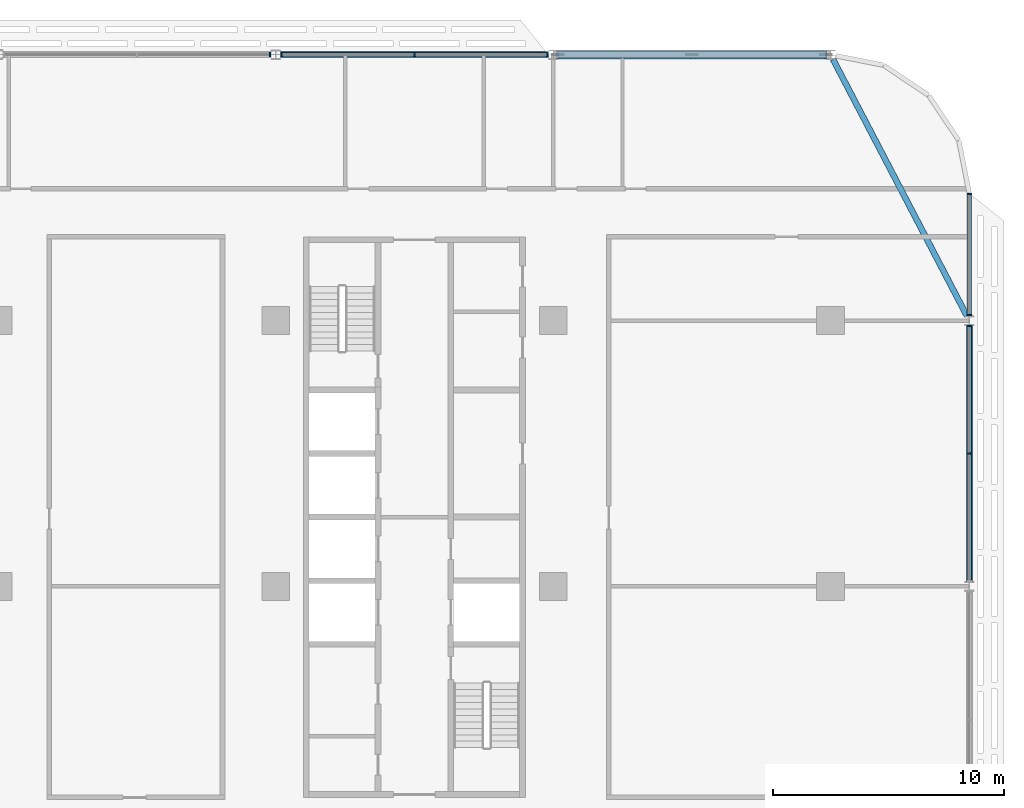
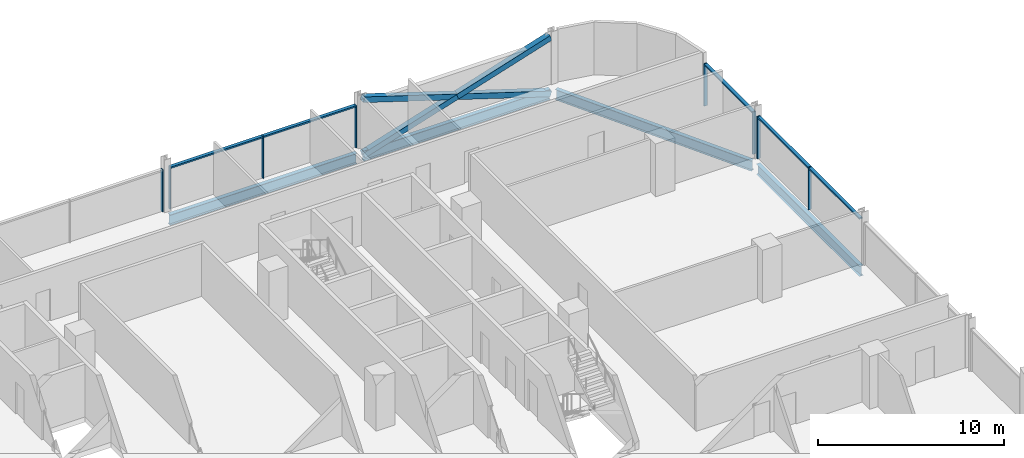
# One storey, part 9 of 27: 16 members, 4 beams, 4 elements without a shape of their own.
"""IFC4 building model written with IfcOpenShell, lengths in metres."""

from ifc_helpers import new_model, si_unit, direction, frame, origin, origin_2d, place, context, subcontext, project, spatial, rectangle, hollow_rectangle, i_section, extrude, material, material_profile, profile_set, type_object, element, aggregate, save


model = new_model("IFC4")

# Units and contexts
model_context = context("Model", 3, precision=1e-05, world=origin(), true_north=direction((0.0, 1.0)))
body_context = subcontext(model_context, "Body", "Model", "MODEL_VIEW")
ifc_project = project(units=[si_unit("LENGTHUNIT", "METRE"), si_unit("AREAUNIT", "SQUARE_METRE"), si_unit("VOLUMEUNIT", "CUBIC_METRE"), si_unit("PLANEANGLEUNIT", "RADIAN"), si_unit("MASSUNIT", "GRAM", prefix="KILO")], contexts=[model_context])

# Site, building, storey
site_placement = place(None, origin())
site = spatial("IfcSite", under=ifc_project, at=site_placement, CompositionType="ELEMENT")
building_placement = place(site_placement, origin())
building = spatial("IfcBuilding", under=site, at=building_placement, Name="Mahtab Terrace Research Tower", CompositionType="ELEMENT")
storey_placement = place(building_placement, frame((0.0, 0.0, 178.199951171875)))
storey = spatial("IfcBuildingStorey", under=building, at=storey_placement, Name="L42", CompositionType="ELEMENT", Elevation=178.199951171875)

# Members
ifc_material_1 = material(Name="Steel ASTM A500 Gr C", Category="steel")
ifc_material_profile_1 = material_profile(ifc_material_1, hollow_rectangle(XDim=0.355712890625, YDim=0.355712890625, WallThickness=0.015869140625, at=origin_2d()), Name="HSS14X14X5/8")
ifc_profile_set_1 = profile_set([ifc_material_profile_1], Name="Steel ASTM A500 Gr C")
member_type_1 = type_object("IfcMemberType", Name="HSS 14x14x5/8 brace XB141458", PredefinedType="BRACE", material=ifc_profile_set_1)
member_1_placement = place(storey_placement, frame((41.796875, 23.0, -0.61474609375), z_axis=(-0.953341454971, 0.0, 0.301894137463), x_axis=(0.0, -1.0, 0.0)))
element("IfcMember", 1, at=member_1_placement, inside=storey, type_object=member_type_1, Name="Exoskeleton brace L42 01 a", PredefinedType="BRACE", context=body_context, shape_type="SweptSolid", body=[
    extrude(hollow_rectangle(XDim=0.355712890625, YDim=0.355712890625, WallThickness=0.015869140625, at=origin_2d()), origin(), (0.0, 0.0, 1.0), 12.1611328125),
])
for number, where, z_axis, x_axis, name in (
    (2, (30.203125, 23.0, -0.61474609375), (0.953341454971, 0.0, 0.301894137463), (0.0, 1.0, 0.0), "Exoskeleton brace L42 01 b1"),
    (3, (36.0, 23.0, 1.220947265625), (0.953341454971, 0.0, 0.301894137463), (0.0, 1.0, 0.0), "Exoskeleton brace L42 01 b2"),
):
    element("IfcMember", number, at=place(storey_placement, frame(where, z_axis=z_axis, x_axis=x_axis)), inside=storey, type_object=member_type_1, Name=name, PredefinedType="BRACE", context=body_context, shape_type="SweptSolid", body=[
        extrude(hollow_rectangle(XDim=0.355712890625, YDim=0.355712890625, WallThickness=0.015869140625, at=origin_2d()), origin(), (0.0, 0.0, 1.0), 6.08056640625),
    ])

# Curtain wall, members
ifc_material_2 = material(Name="Laboratory ribbon curtain wall")
curtain_wall_type = type_object("IfcCurtainWallType", Name="Laboratory ribbon curtain wall", PredefinedType="NOTDEFINED", material=ifc_material_2)
curtain_wall_1_placement = place(storey_placement, origin())
curtain_wall_1 = element("IfcCurtainWall", 4, at=curtain_wall_1_placement, inside=storey, type_object=curtain_wall_type, Name="EN.L42.3.4", PredefinedType="NOTDEFINED")
ifc_material_3 = material(Name="Natural anodised aluminium", Category="aluminium")
ifc_material_profile_2 = material_profile(ifc_material_3, rectangle(XDim=0.199951171875, YDim=0.06494140625, at=origin_2d()), Name="MULLION 65x200")
ifc_profile_set_2 = profile_set([ifc_material_profile_2], Name="Natural anodised aluminium")
member_type_2 = type_object("IfcMemberType", Name="Laboratory ribbon curtain wall mullion", PredefinedType="MULLION", material=ifc_profile_set_2)
member_2_placement = place(storey_placement, frame((29.759521484375, 23.0, 0.0), z_axis=(0.0, 0.0, 1.0), x_axis=(0.0, -1.0, 0.0)))
member_2 = element("IfcMember", 5, at=member_2_placement, type_object=member_type_2, Name="CWL-5 mullion 1", PredefinedType="MULLION", context=body_context, shape_type="SweptSolid", body=[
    extrude(rectangle(XDim=0.199951171875, YDim=0.06494140625, at=origin_2d()), origin(), (0.0, 0.0, 1.0), 2.78173828125),
])
member_3_placement = place(storey_placement, frame((24.0, 23.0, 0.0), z_axis=(0.0, 0.0, 1.0), x_axis=(0.0, -1.0, 0.0)))
member_3 = element("IfcMember", 6, at=member_3_placement, type_object=member_type_2, Name="CWL-5 mullion 2", PredefinedType="MULLION", context=body_context, shape_type="SweptSolid", body=[
    extrude(rectangle(XDim=0.199951171875, YDim=0.06494140625, at=origin_2d()), origin(), (0.0, 0.0, 1.0), 2.78173828125),
])
member_4_placement = place(storey_placement, frame((18.240478515625, 23.0, 0.0), z_axis=(0.0, 0.0, 1.0), x_axis=(0.0, -1.0, 0.0)))
member_4 = element("IfcMember", 7, at=member_4_placement, type_object=member_type_2, Name="CWL-5 mullion 3", PredefinedType="MULLION", context=body_context, shape_type="SweptSolid", body=[
    extrude(rectangle(XDim=0.199951171875, YDim=0.06494140625, at=origin_2d()), origin(), (0.0, 0.0, 1.0), 2.78173828125),
])

# Curtain wall, member
curtain_wall_2_placement = place(storey_placement, origin())
curtain_wall_2 = element("IfcCurtainWall", 8, at=curtain_wall_2_placement, inside=storey, type_object=curtain_wall_type, Name="EN.L42.3.5", PredefinedType="NOTDEFINED")
member_5_placement = place(storey_placement, frame((17.759521484375, 23.0, 0.0), z_axis=(0.0, 0.0, 1.0), x_axis=(0.0, -1.0, 0.0)))
member_5 = element("IfcMember", 9, at=member_5_placement, type_object=member_type_2, Name="CWL-5 mullion 1", PredefinedType="MULLION", context=body_context, shape_type="SweptSolid", body=[
    extrude(rectangle(XDim=0.199951171875, YDim=0.06494140625, at=origin_2d()), origin(), (0.0, 0.0, 1.0), 2.78173828125),
])
aggregate(curtain_wall_2, [member_5])

# Curtain wall, members
curtain_wall_3_placement = place(storey_placement, origin())
curtain_wall_3 = element("IfcCurtainWall", 10, at=curtain_wall_3_placement, inside=storey, type_object=curtain_wall_type, Name="EN.L42.18.36", PredefinedType="NOTDEFINED")
member_6_placement = place(storey_placement, frame((48.0, 5.75, 0.0), z_axis=(0.0, 0.0, 1.0), x_axis=(-1.0, 0.0, 0.0)))
member_6 = element("IfcMember", 11, at=member_6_placement, type_object=member_type_2, Name="CWL-5 mullion 2", PredefinedType="MULLION", context=body_context, shape_type="SweptSolid", body=[
    extrude(rectangle(XDim=0.199951171875, YDim=0.06494140625, at=origin_2d()), origin(), (0.0, 0.0, 1.0), 2.78173828125),
])
member_7_placement = place(storey_placement, frame((48.0, 11.259521484375, 0.0), z_axis=(0.0, 0.0, 1.0), x_axis=(-1.0, 0.0, 0.0)))
member_7 = element("IfcMember", 12, at=member_7_placement, type_object=member_type_2, Name="CWL-5 mullion 3", PredefinedType="MULLION", context=body_context, shape_type="SweptSolid", body=[
    extrude(rectangle(XDim=0.199951171875, YDim=0.06494140625, at=origin_2d()), origin(), (0.0, 0.0, 1.0), 2.78173828125),
])

curtain_wall_4_placement = place(storey_placement, origin())
curtain_wall_4 = element("IfcCurtainWall", 13, at=curtain_wall_4_placement, inside=storey, type_object=curtain_wall_type, Name="EN.L42.18.37", PredefinedType="NOTDEFINED")
member_8_placement = place(storey_placement, frame((48.0, 11.740478515625, 0.0), z_axis=(0.0, 0.0, 1.0), x_axis=(-1.0, 0.0, 0.0)))
member_8 = element("IfcMember", 14, at=member_8_placement, type_object=member_type_2, Name="CWL-5 mullion 1", PredefinedType="MULLION", context=body_context, shape_type="SweptSolid", body=[
    extrude(rectangle(XDim=0.199951171875, YDim=0.06494140625, at=origin_2d()), origin(), (0.0, 0.0, 1.0), 2.78173828125),
])
member_9_placement = place(storey_placement, frame((48.0, 16.967529296875, 0.0), z_axis=(0.0, 0.0, 1.0), x_axis=(-1.0, 0.0, 0.0)))
member_9 = element("IfcMember", 15, at=member_9_placement, type_object=member_type_2, Name="CWL-5 mullion 2", PredefinedType="MULLION", context=body_context, shape_type="SweptSolid", body=[
    extrude(rectangle(XDim=0.199951171875, YDim=0.06494140625, at=origin_2d()), origin(), (0.0, 0.0, 1.0), 2.78173828125),
])

# Member
ifc_material_profile_3 = material_profile(ifc_material_3, rectangle(XDim=0.199951171875, YDim=0.10009765625, at=origin_2d()), Name="TRANSOM 100x200")
ifc_profile_set_3 = profile_set([ifc_material_profile_3], Name="Natural anodised aluminium")
member_type_3 = type_object("IfcMemberType", Name="Laboratory ribbon curtain wall transom", PredefinedType="USERDEFINED", material=ifc_profile_set_3)
member_10_placement = place(storey_placement, frame((29.72705078125, 23.0, 2.73193359375), z_axis=(-1.0, 0.0, 0.0), x_axis=(0.0, -1.0, 0.0)))
member_10 = element("IfcMember", 16, at=member_10_placement, type_object=member_type_3, Name="CWL-5 transom 1", ObjectType="TRANSOM", PredefinedType="USERDEFINED", context=body_context, shape_type="SweptSolid", body=[
    extrude(rectangle(XDim=0.199951171875, YDim=0.10009765625, at=origin_2d()), origin(), (0.0, 0.0, 1.0), 5.694580078125),
])

member_11_placement = place(storey_placement, frame((23.967529296875, 23.0, 2.73193359375), z_axis=(-1.0, 0.0, 0.0), x_axis=(0.0, -1.0, 0.0)))
member_11 = element("IfcMember", 17, at=member_11_placement, type_object=member_type_3, Name="CWL-5 transom 2", ObjectType="TRANSOM", PredefinedType="USERDEFINED", context=body_context, shape_type="SweptSolid", body=[
    extrude(rectangle(XDim=0.199951171875, YDim=0.10009765625, at=origin_2d()), origin(), (0.0, 0.0, 1.0), 5.694580078125),
])

aggregate(curtain_wall_1, [member_2, member_3, member_4, member_10, member_11])

member_12_placement = place(storey_placement, frame((48.0, 0.27294921875, 2.73193359375), z_axis=(0.0, 1.0, 0.0), x_axis=(-1.0, 0.0, 0.0)))
member_12 = element("IfcMember", 18, at=member_12_placement, type_object=member_type_3, Name="CWL-5 transom 1", ObjectType="TRANSOM", PredefinedType="USERDEFINED", context=body_context, shape_type="SweptSolid", body=[
    extrude(rectangle(XDim=0.199951171875, YDim=0.10009765625, at=origin_2d()), origin(), (0.0, 0.0, 1.0), 5.444580078125),
])

member_13_placement = place(storey_placement, frame((48.0, 5.782470703125, 2.73193359375), z_axis=(0.0, 1.0, 0.0), x_axis=(-1.0, 0.0, 0.0)))
member_13 = element("IfcMember", 19, at=member_13_placement, type_object=member_type_3, Name="CWL-5 transom 2", ObjectType="TRANSOM", PredefinedType="USERDEFINED", context=body_context, shape_type="SweptSolid", body=[
    extrude(rectangle(XDim=0.199951171875, YDim=0.10009765625, at=origin_2d()), origin(), (0.0, 0.0, 1.0), 5.444580078125),
])

aggregate(curtain_wall_3, [member_6, member_7, member_12, member_13])

member_14_placement = place(storey_placement, frame((48.0, 11.77294921875, 2.73193359375), z_axis=(0.0, 1.0, 0.0), x_axis=(-1.0, 0.0, 0.0)))
member_14 = element("IfcMember", 20, at=member_14_placement, type_object=member_type_3, Name="CWL-5 transom 1", ObjectType="TRANSOM", PredefinedType="USERDEFINED", context=body_context, shape_type="SweptSolid", body=[
    extrude(rectangle(XDim=0.199951171875, YDim=0.10009765625, at=origin_2d()), origin(), (0.0, 0.0, 1.0), 5.162109375),
])

aggregate(curtain_wall_4, [member_8, member_9, member_14])

# Beams
ifc_material_4 = material(Name="Steel ASTM A992 Gr 50", Category="steel")
ifc_material_profile_4 = material_profile(ifc_material_4, i_section(OverallWidth=0.25390625, OverallDepth=0.67822265625, WebThickness=0.01171875, FlangeThickness=0.016357421875, at=origin_2d()), Name="W27X84")
ifc_profile_set_4 = profile_set([ifc_material_profile_4], Name="Steel ASTM A992 Gr 50")
beam_type = type_object("IfcBeamType", Name="W27x84 beam BS2784", PredefinedType="BEAM", material=ifc_profile_set_4)
for number, where, z_axis, x_axis, name in (
    (21, (41.796875, 23.0, -0.678955078125), (-1.0, 0.0, 0.0), (0.0, -1.0, 0.0), "Spandrel beam L42 01"),
    (22, (29.796875, 23.0, -0.678955078125), (-1.0, 0.0, 0.0), (0.0, -1.0, 0.0), "Spandrel beam L42 02"),
):
    element("IfcBeam", number, at=place(storey_placement, frame(where, z_axis=z_axis, x_axis=x_axis)), inside=storey, type_object=beam_type, Name=name, PredefinedType="BEAM", context=body_context, shape_type="SweptSolid", body=[
        extrude(i_section(OverallWidth=0.25390625, OverallDepth=0.67822265625, WebThickness=0.01171875, FlangeThickness=0.016357421875, at=origin_2d()), origin(), (0.0, 0.0, 1.0), 11.59375),
    ])
beam_1_placement = place(storey_placement, frame((48.0, 0.208251953125, -0.678955078125), z_axis=(0.0, 1.0, 0.0), x_axis=(-1.0, 0.0, 0.0)))
element("IfcBeam", 23, at=beam_1_placement, inside=storey, type_object=beam_type, Name="Spandrel beam L42 21", PredefinedType="BEAM", context=body_context, shape_type="SweptSolid", body=[
    extrude(i_section(OverallWidth=0.25390625, OverallDepth=0.67822265625, WebThickness=0.01171875, FlangeThickness=0.016357421875, at=origin_2d()), origin(), (0.0, 0.0, 1.0), 11.08349609375),
])
beam_2_placement = place(storey_placement, frame((47.891357421875, 11.708251953125, -0.678955078125), z_axis=(-0.462567341525, 0.886584149731, 0.0), x_axis=(-0.886584149731, -0.462567341525, 0.0)))
element("IfcBeam", 24, at=beam_2_placement, inside=storey, type_object=beam_type, Name="Spandrel beam L42 22", PredefinedType="BEAM", context=body_context, shape_type="SweptSolid", body=[
    extrude(i_section(OverallWidth=0.25390625, OverallDepth=0.67822265625, WebThickness=0.01171875, FlangeThickness=0.016357421875, at=origin_2d()), origin(), (0.0, 0.0, 1.0), 12.50146484375),
])

save(model, "model.ifc")
